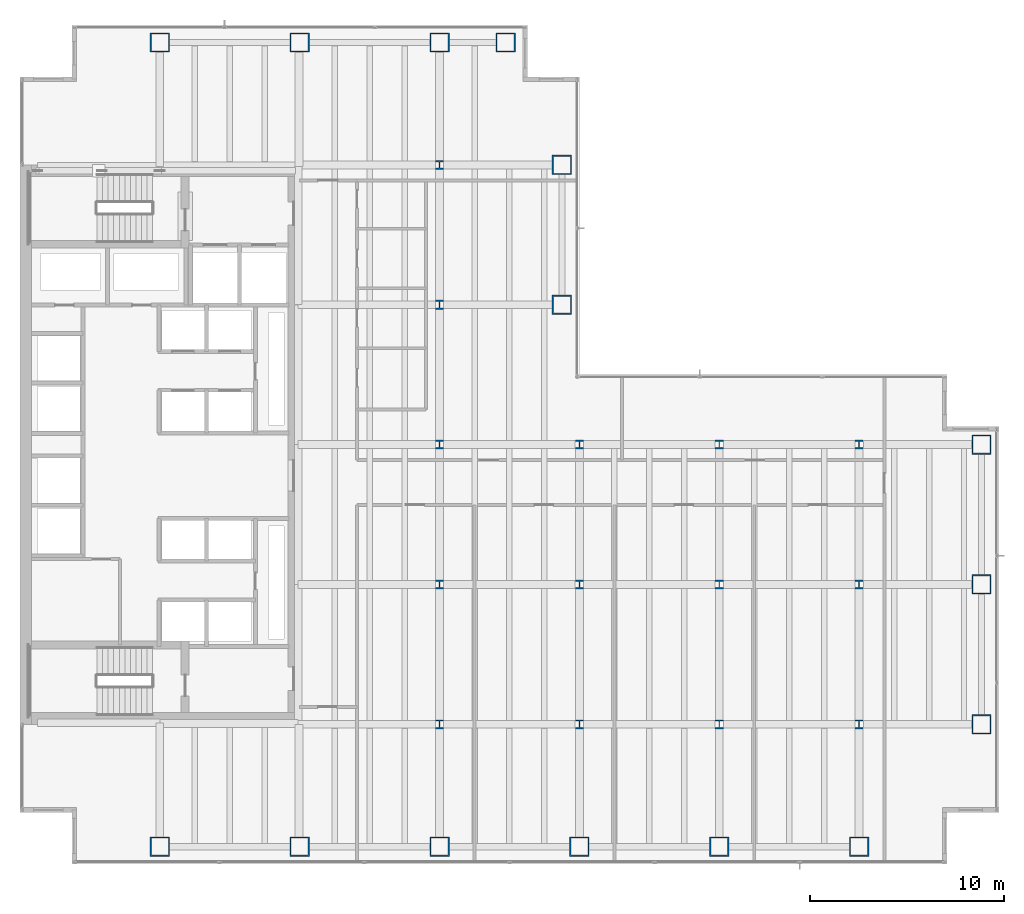
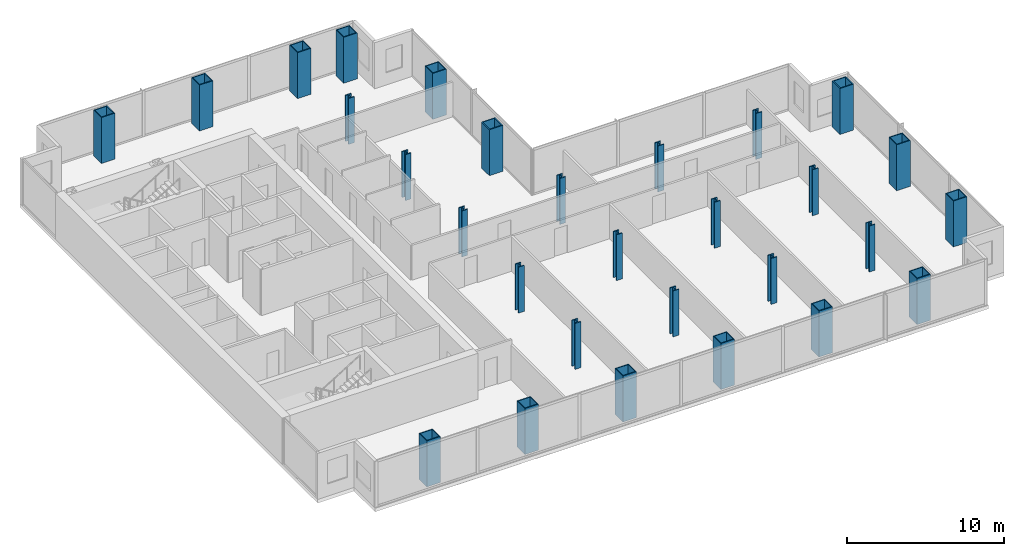
# One storey, part 1 of 25: 29 columns.
"""IFC4 building model written with IfcOpenShell, lengths in metres."""

from ifc_helpers import new_model, si_unit, direction, frame, origin, origin_2d, place, context, subcontext, project, spatial, hollow_rectangle, i_section, extrude, material, material_profile, profile_set, type_object, element, save


model = new_model("IFC4")

# Units and contexts
model_context = context("Model", 3, precision=1e-05, world=origin(), true_north=direction((0.0, 1.0)))
body_context = subcontext(model_context, "Body", "Model", "MODEL_VIEW")
ifc_project = project(units=[si_unit("LENGTHUNIT", "METRE"), si_unit("AREAUNIT", "SQUARE_METRE"), si_unit("VOLUMEUNIT", "CUBIC_METRE"), si_unit("PLANEANGLEUNIT", "RADIAN"), si_unit("MASSUNIT", "GRAM", prefix="KILO")], contexts=[model_context])

# Site, building, storey
site_placement = place(None, origin())
site = spatial("IfcSite", under=ifc_project, at=site_placement, CompositionType="ELEMENT")
building_placement = place(site_placement, origin())
building = spatial("IfcBuilding", under=site, at=building_placement, Name="Cobrela Telecom Tower", CompositionType="ELEMENT")
storey_placement = place(building_placement, frame((0.0, 0.0, 58.10009765625)))
storey = spatial("IfcBuildingStorey", under=building, at=storey_placement, Name="L14", CompositionType="ELEMENT", Elevation=58.10009765625)

# Columns
ifc_material_1 = material(Name="Steel ASTM A992 Grade 50", Category="steel")
ifc_material_profile_1 = material_profile(ifc_material_1, i_section(OverallWidth=0.422119140625, OverallDepth=0.465087890625, WebThickness=0.044921875, FlangeThickness=0.072509765625, FilletRadius=0.01806640625, at=origin_2d()), Name="W14X398")
ifc_profile_set_1 = profile_set([ifc_material_profile_1], Name="Steel ASTM A992 Grade 50")
column_type_1 = type_object("IfcColumnType", Name="COL-INT-04", PredefinedType="COLUMN", material=ifc_profile_set_1)
for number, where, z_axis, x_axis, name in (
    (1, (21.60009765625, 7.199951171875, 0.0), (0.0, 0.0, 1.0), (1.0, 0.0, 0.0), "L14 Interior Column 06"),
    (2, (21.60009765625, 14.39990234375, 0.0), (0.0, 0.0, 1.0), (1.0, 0.0, 0.0), "L14 Interior Column 07"),
    (3, (21.60009765625, 21.60009765625, 0.0), (0.0, 0.0, 1.0), (1.0, 0.0, 0.0), "L14 Interior Column 08"),
    (4, (21.60009765625, 28.800048828125, 0.0), (0.0, 0.0, 1.0), (1.0, 0.0, 0.0), "L14 Interior Column 09"),
    (5, (21.60009765625, 36.0, 0.0), (0.0, 0.0, 1.0), (1.0, 0.0, 0.0), "L14 Interior Column 10"),
    (6, (28.800048828125, 7.199951171875, 0.0), (0.0, 0.0, 1.0), (1.0, 0.0, 0.0), "L14 Interior Column 16"),
    (7, (28.800048828125, 14.39990234375, 0.0), (0.0, 0.0, 1.0), (1.0, 0.0, 0.0), "L14 Interior Column 17"),
    (8, (28.800048828125, 21.60009765625, 0.0), (0.0, 0.0, 1.0), (1.0, 0.0, 0.0), "L14 Interior Column 18"),
    (9, (36.0, 7.199951171875, 0.0), (0.0, 0.0, 1.0), (1.0, 0.0, 0.0), "L14 Interior Column 20"),
    (10, (36.0, 14.39990234375, 0.0), (0.0, 0.0, 1.0), (1.0, 0.0, 0.0), "L14 Interior Column 21"),
    (11, (36.0, 21.60009765625, 0.0), (0.0, 0.0, 1.0), (1.0, 0.0, 0.0), "L14 Interior Column 22"),
    (12, (43.199951171875, 7.199951171875, 0.0), (0.0, 0.0, 1.0), (1.0, 0.0, 0.0), "L14 Interior Column 24"),
    (13, (43.199951171875, 14.39990234375, 0.0), (0.0, 0.0, 1.0), (1.0, 0.0, 0.0), "L14 Interior Column 25"),
    (14, (43.199951171875, 21.60009765625, 0.0), (0.0, 0.0, 1.0), (1.0, 0.0, 0.0), "L14 Interior Column 26"),
):
    element("IfcColumn", number, at=place(storey_placement, frame(where, z_axis=z_axis, x_axis=x_axis)), inside=storey, type_object=column_type_1, Name=name, PredefinedType="COLUMN", context=body_context, shape_type="SweptSolid", body=[
        extrude(i_section(OverallWidth=0.422119140625, OverallDepth=0.465087890625, WebThickness=0.044921875, FlangeThickness=0.072509765625, FilletRadius=0.01806640625, at=origin_2d()), origin(), (0.0, 0.0, 1.0), 3.56982421875),
    ])
ifc_material_2 = material(Name="Steel ASTM A572 Grade 50", Category="steel")
ifc_material_profile_2 = material_profile(ifc_material_2, hollow_rectangle(XDim=1.0, YDim=1.0, WallThickness=0.06494140625, at=origin_2d()), Name="BOX 1000x1000x65")
ifc_profile_set_2 = profile_set([ifc_material_profile_2], Name="Steel ASTM A572 Grade 50")
column_type_2 = type_object("IfcColumnType", Name="COL-MEGA-03", PredefinedType="COLUMN", material=ifc_profile_set_2)
for number, where, z_axis, x_axis, name in (
    (15, (7.199951171875, 0.89990234375, 0.0), (0.0, 0.0, 1.0), (1.0, 0.0, 0.0), "L14 Perimeter Mega-Column 01"),
    (16, (7.199951171875, 42.300048828125, 0.0), (0.0, 0.0, 1.0), (1.0, 0.0, 0.0), "L14 Perimeter Mega-Column 02"),
    (17, (14.39990234375, 0.89990234375, 0.0), (0.0, 0.0, 1.0), (1.0, 0.0, 0.0), "L14 Perimeter Mega-Column 03"),
    (18, (14.39990234375, 42.300048828125, 0.0), (0.0, 0.0, 1.0), (1.0, 0.0, 0.0), "L14 Perimeter Mega-Column 04"),
    (19, (21.60009765625, 0.89990234375, 0.0), (0.0, 0.0, 1.0), (1.0, 0.0, 0.0), "L14 Perimeter Mega-Column 05"),
    (20, (21.60009765625, 42.300048828125, 0.0), (0.0, 0.0, 1.0), (1.0, 0.0, 0.0), "L14 Perimeter Mega-Column 11"),
    (21, (25.0, 42.300048828125, 0.0), (0.0, 0.0, 1.0), (1.0, 0.0, 0.0), "L14 Perimeter Mega-Column 12"),
    (22, (27.89990234375, 28.800048828125, 0.0), (0.0, 0.0, 1.0), (1.0, 0.0, 0.0), "L14 Perimeter Mega-Column 13"),
    (23, (27.89990234375, 36.0, 0.0), (0.0, 0.0, 1.0), (1.0, 0.0, 0.0), "L14 Perimeter Mega-Column 14"),
    (24, (28.800048828125, 0.89990234375, 0.0), (0.0, 0.0, 1.0), (1.0, 0.0, 0.0), "L14 Perimeter Mega-Column 15"),
    (25, (36.0, 0.89990234375, 0.0), (0.0, 0.0, 1.0), (1.0, 0.0, 0.0), "L14 Perimeter Mega-Column 19"),
    (26, (43.199951171875, 0.89990234375, 0.0), (0.0, 0.0, 1.0), (1.0, 0.0, 0.0), "L14 Perimeter Mega-Column 23"),
    (27, (49.5, 7.199951171875, 0.0), (0.0, 0.0, 1.0), (1.0, 0.0, 0.0), "L14 Perimeter Mega-Column 27"),
    (28, (49.5, 14.39990234375, 0.0), (0.0, 0.0, 1.0), (1.0, 0.0, 0.0), "L14 Perimeter Mega-Column 28"),
    (29, (49.5, 21.60009765625, 0.0), (0.0, 0.0, 1.0), (1.0, 0.0, 0.0), "L14 Perimeter Mega-Column 29"),
):
    element("IfcColumn", number, at=place(storey_placement, frame(where, z_axis=z_axis, x_axis=x_axis)), inside=storey, type_object=column_type_2, Name=name, PredefinedType="COLUMN", context=body_context, shape_type="SweptSolid", body=[
        extrude(hollow_rectangle(XDim=1.0, YDim=1.0, WallThickness=0.06494140625, at=origin_2d()), origin(), (0.0, 0.0, 1.0), 3.56982421875),
    ])

save(model, "model.ifc")
